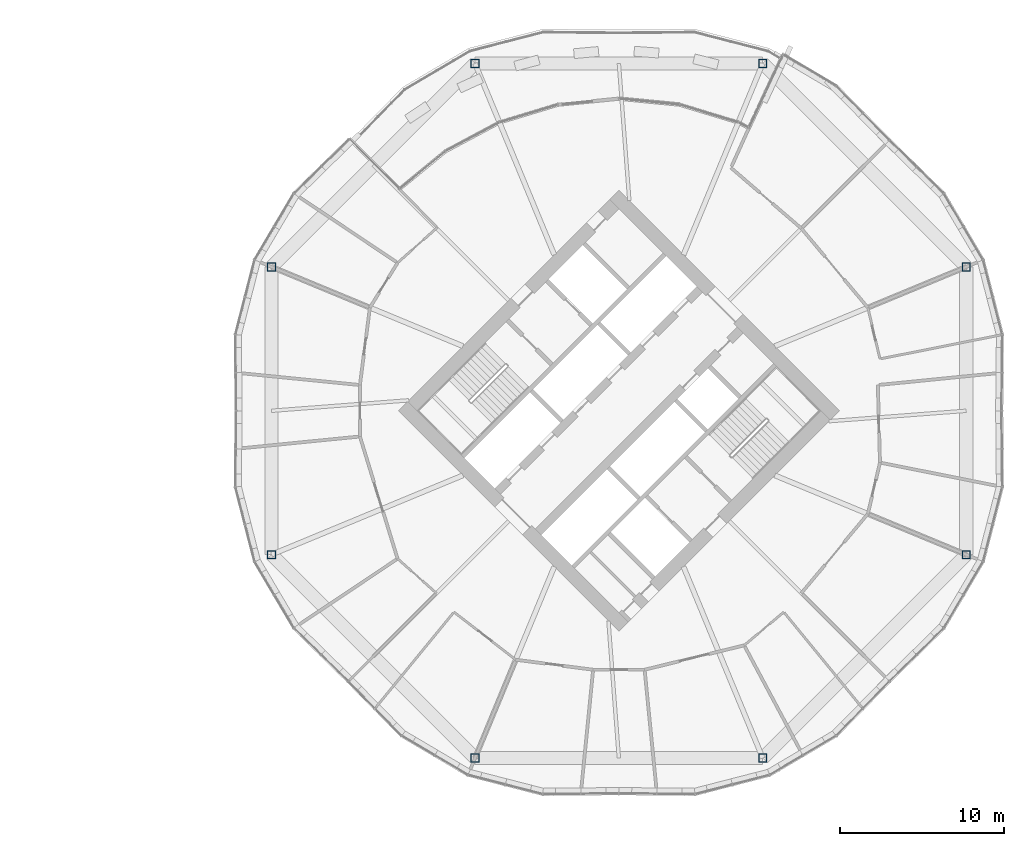
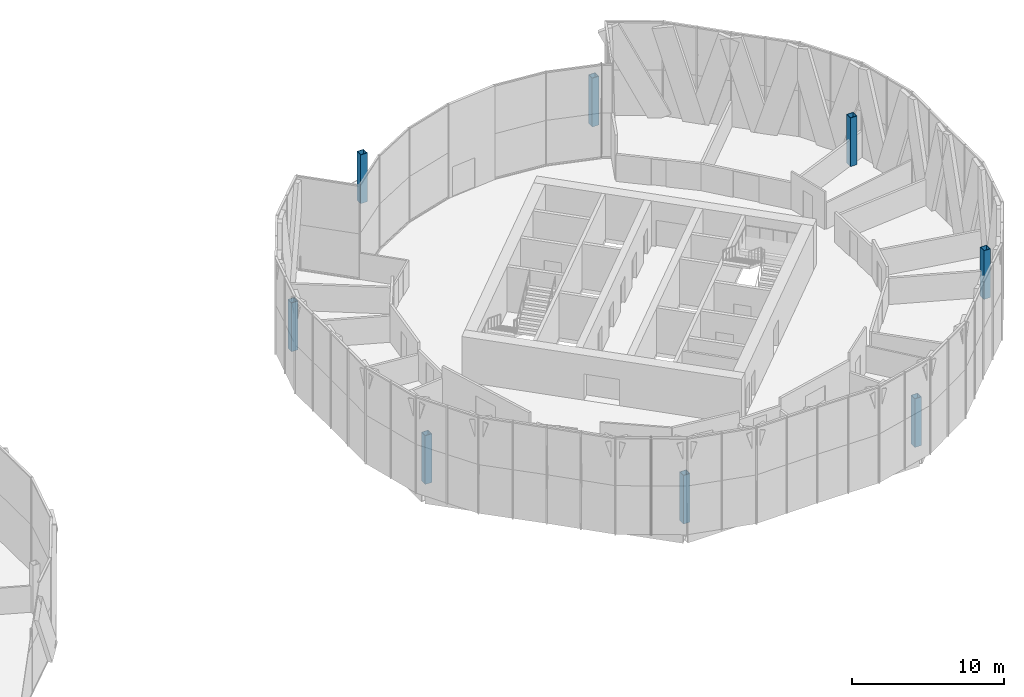
# One storey, part 2 of 31: 8 columns.
"""IFC4 building model written with IfcOpenShell, lengths in metres."""

from ifc_helpers import new_model, si_unit, direction, frame, origin, origin_2d, place, context, subcontext, project, spatial, hollow_rectangle, extrude, material, material_profile, profile_set, type_object, element, save


model = new_model("IFC4")

# Units and contexts
model_context = context("Model", 3, precision=1e-05, world=origin(), true_north=direction((0.0, 1.0)))
body_context = subcontext(model_context, "Body", "Model", "MODEL_VIEW")
ifc_project = project(units=[si_unit("LENGTHUNIT", "METRE"), si_unit("AREAUNIT", "SQUARE_METRE"), si_unit("VOLUMEUNIT", "CUBIC_METRE"), si_unit("PLANEANGLEUNIT", "RADIAN"), si_unit("MASSUNIT", "GRAM", prefix="KILO")], contexts=[model_context])

# Site, building, storey
site_placement = place(None, origin())
site = spatial("IfcSite", under=ifc_project, at=site_placement, CompositionType="ELEMENT")
building_placement = place(site_placement, origin())
building = spatial("IfcBuilding", under=site, at=building_placement, Name="Ogive Gate Towers", CompositionType="ELEMENT")
storey_placement = place(building_placement, frame((0.0, 0.0, 63.60009765625)))
storey = spatial("IfcBuildingStorey", under=building, at=storey_placement, Name="L14", CompositionType="ELEMENT", Elevation=63.60009765625)

# Columns
ifc_material = material(Name="Steel SM460", Category="steel")
ifc_material_profile = material_profile(ifc_material, hollow_rectangle(XDim=0.5, YDim=0.5, WallThickness=0.030029296875, at=origin_2d()), Name="BX 500x500x30")
ifc_profile_set = profile_set([ifc_material_profile], Name="Steel SM460")
column_type = type_object("IfcColumnType", Name="Perimeter post BX 500x500x30", PredefinedType="COLUMN", material=ifc_profile_set)
for number, where, z_axis, x_axis, name in (
    (1, (57.15673828125, 8.763427734375, 0.0), (0.0, 0.0, 1.0), (1.0, 0.0, 0.0), "T2/L14/SCL001"),
    (2, (44.763427734375, 21.15673828125, 0.0), (0.0, 0.0, 1.0), (1.0, 0.0, 0.0), "T2/L14/SCL002"),
    (3, (27.236572265625, 21.15673828125, 0.0), (0.0, 0.0, 1.0), (1.0, 0.0, 0.0), "T2/L14/SCL003"),
    (4, (14.84326171875, 8.763427734375, 0.0), (0.0, 0.0, 1.0), (1.0, 0.0, 0.0), "T2/L14/SCL004"),
    (5, (14.84326171875, -8.763427734375, 0.0), (0.0, 0.0, 1.0), (1.0, 0.0, 0.0), "T2/L14/SCL005"),
    (6, (27.236572265625, -21.15673828125, 0.0), (0.0, 0.0, 1.0), (1.0, 0.0, 0.0), "T2/L14/SCL006"),
    (7, (44.763427734375, -21.15673828125, 0.0), (0.0, 0.0, 1.0), (1.0, 0.0, 0.0), "T2/L14/SCL007"),
    (8, (57.15673828125, -8.763427734375, 0.0), (0.0, 0.0, 1.0), (1.0, 0.0, 0.0), "T2/L14/SCL008"),
):
    element("IfcColumn", number, at=place(storey_placement, frame(where, z_axis=z_axis, x_axis=x_axis)), inside=storey, type_object=column_type, Name=name, PredefinedType="COLUMN", context=body_context, shape_type="SweptSolid", body=[
        extrude(hollow_rectangle(XDim=0.5, YDim=0.5, WallThickness=0.030029296875, at=origin_2d()), origin(), (0.0, 0.0, 1.0), 3.89990234375),
    ])

save(model, "model.ifc")
